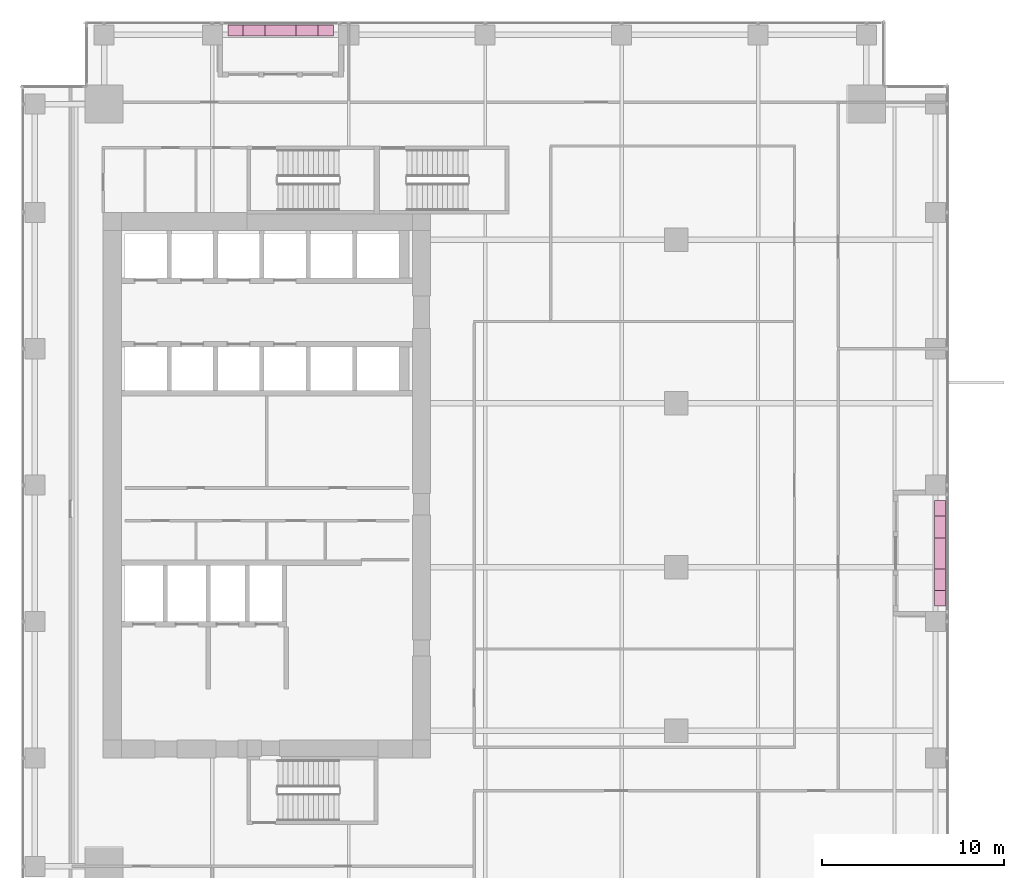
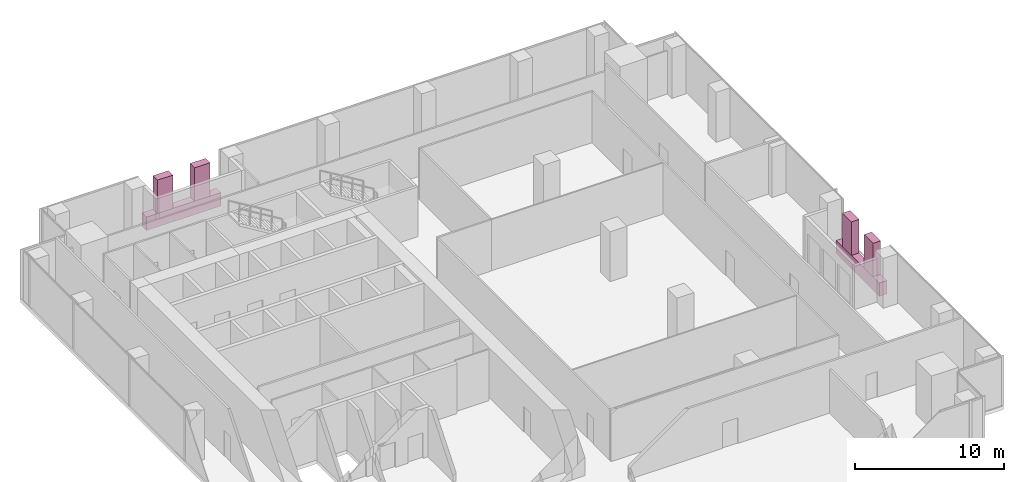
# One storey, part 34 of 34: 6 furnishings.
"""IFC4 building model written with IfcOpenShell, lengths in metres."""

import ifcopenshell
import ifcopenshell.guid

model = None  # the IFC model being written
_history = None  # IfcOwnerHistory: only IFC2X3 demands one
_inside = {}  # id of a spatial element -> (the spatial element, [elements in it])
_under = {}  # id of a project, library or spatial element -> (it, [spatial elements below it])
_declared = {}  # id of a project -> (the project, [libraries it declares])
_typed = {}  # id of a type object -> (the type object, [elements of that type])
_made_of = {}  # id of a material, layer set ... -> (it, [elements and type objects made of it])


def new_model(schema):
    """Start an empty IFC model of exactly this schema.

    Asked for "IFC4X3", IfcOpenShell would pick the latest addendum, in which some entities
    have other attributes; the version numbers below select the first issue.
    IFC2X3 requires an IfcOwnerHistory on every rooted entity: one is made here for all.
    """
    global model, _history
    if schema == "IFC4X3":
        model = ifcopenshell.file(schema_version=(4, 3, 0, 0))
    else:
        model = ifcopenshell.file(schema=schema)
    _inside.clear()
    _under.clear()
    _declared.clear()
    _typed.clear()
    _made_of.clear()
    _history = None
    if model.schema == "IFC2X3":
        org = make("IfcOrganization", Name="unknown")
        user = make(
            "IfcPersonAndOrganization",
            ThePerson=make("IfcPerson", FamilyName="unknown"),
            TheOrganization=org,
        )
        app = make(
            "IfcApplication",
            ApplicationDeveloper=org,
            Version="unknown",
            ApplicationFullName="unknown",
            ApplicationIdentifier="unknown",
        )
        _history = make(
            "IfcOwnerHistory",
            OwningUser=user,
            OwningApplication=app,
            ChangeAction="ADDED",
            CreationDate=0,
        )
    return model


def make(cls, **values):
    """One entity of the class cls with the attributes given. An attribute that is None is left unset."""
    return model.create_entity(
        cls, **{name: value for name, value in values.items() if value is not None}
    )


def rooted(cls, **values):
    """An entity with a GlobalId (a new one), such as an element, a storey or a relation."""
    return make(cls, GlobalId=ifcopenshell.guid.new(), OwnerHistory=_history, **values)


def si_unit(unit_type, name, prefix=None):
    """IfcSIUnit, for example si_unit("LENGTHUNIT", "METRE", prefix="MILLI")."""
    return make("IfcSIUnit", UnitType=unit_type, Prefix=prefix, Name=name)


def assignment(units):
    """IfcUnitAssignment: the units of a project."""
    return None if units is None else make("IfcUnitAssignment", Units=units)


def point(xyz):
    """IfcCartesianPoint."""
    return None if xyz is None else make("IfcCartesianPoint", Coordinates=xyz)


def direction(xyz):
    """IfcDirection."""
    return None if xyz is None else make("IfcDirection", DirectionRatios=xyz)


def frame(location, z_axis=None, x_axis=None):
    """IfcAxis2Placement3D, a coordinate frame: its origin and axes. An axis left out is left unset."""
    return make(
        "IfcAxis2Placement3D",
        Location=point(location),
        Axis=direction(z_axis),
        RefDirection=direction(x_axis),
    )


def frame_2d(location, x_axis=None):
    """IfcAxis2Placement2D, a coordinate frame in the plane: its origin and x axis."""
    return make(
        "IfcAxis2Placement2D", Location=point(location), RefDirection=direction(x_axis)
    )


def origin():
    """The frame at (0, 0, 0) with its axes left unset."""
    return frame((0.0, 0.0, 0.0))


def origin_2d():
    """The frame at (0, 0) in the plane with its x axis left unset."""
    return frame_2d((0.0, 0.0))


def place(relative_to, where):
    """IfcLocalPlacement: puts the frame where relative to a parent placement (None: the world)."""
    return make(
        "IfcLocalPlacement", PlacementRelTo=relative_to, RelativePlacement=where
    )


def context(
    kind, dimensions, precision=None, world=None, true_north=None, identifier=None
):
    """IfcGeometricRepresentationContext, for example the 3D "Model" context."""
    return make(
        "IfcGeometricRepresentationContext",
        ContextIdentifier=identifier,
        ContextType=kind,
        CoordinateSpaceDimension=dimensions,
        Precision=precision,
        WorldCoordinateSystem=world,
        TrueNorth=true_north,
    )


def subcontext(parent, identifier, kind, view, scale=None):
    """IfcGeometricRepresentationSubContext, for example "Body" below "Model"."""
    return make(
        "IfcGeometricRepresentationSubContext",
        ContextIdentifier=identifier,
        ContextType=kind,
        ParentContext=parent,
        TargetScale=scale,
        TargetView=view,
    )


def project(units=None, contexts=None):
    """IfcProject with its units and contexts."""
    return rooted(
        "IfcProject",
        Name="project",
        RepresentationContexts=contexts,
        UnitsInContext=assignment(units),
    )


def spatial(cls, under=None, at=None, **own):
    """A site, building, storey or space (cls), placed at a placement, below another one or the project."""
    s = rooted(cls, ObjectPlacement=at, **own)
    if under is not None:
        _under.setdefault(under.id(), (under, []))[1].append(s)
    return s


def profile(cls, at=None, kind="AREA", **sizes):
    """A parametric profile (cls). Its sizes go by their IFC names, for example OverallWidth=200.0."""
    return make(cls, ProfileType=kind, Position=at, **sizes)


def rectangle(**sizes):
    """IfcRectangleProfileDef."""
    return profile("IfcRectangleProfileDef", **sizes)


def extrude(swept, where, along, depth):
    """IfcExtrudedAreaSolid: the profile swept, set in the frame where, extruded along a direction by depth."""
    return make(
        "IfcExtrudedAreaSolid",
        SweptArea=swept,
        Position=where,
        ExtrudedDirection=direction(along),
        Depth=depth,
    )


def shape(context_of_items, identifier, shape_type, items):
    """IfcShapeRepresentation: the items that make up one representation, for example the "Body"."""
    return make(
        "IfcShapeRepresentation",
        ContextOfItems=context_of_items,
        RepresentationIdentifier=identifier,
        RepresentationType=shape_type,
        Items=items,
    )


def source(mapping_origin, context_of_items, identifier, shape_type, items):
    """IfcRepresentationMap: a shape defined once, which mapped items show again and again."""
    return make(
        "IfcRepresentationMap",
        MappingOrigin=mapping_origin,
        MappedRepresentation=shape(context_of_items, identifier, shape_type, items),
    )


def transform(
    local_origin,
    x_axis=None,
    y_axis=None,
    z_axis=None,
    scale=None,
    scale2=None,
    scale3=None,
    uniform=True,
):
    """IfcCartesianTransformationOperator3D, or its non-uniform kind. x_axis, y_axis, z_axis: its Axis1, 2, 3."""
    if uniform:
        return make(
            "IfcCartesianTransformationOperator3D",
            Axis1=direction(x_axis),
            Axis2=direction(y_axis),
            LocalOrigin=point(local_origin),
            Scale=scale,
            Axis3=direction(z_axis),
        )
    return make(
        "IfcCartesianTransformationOperator3DnonUniform",
        Axis1=direction(x_axis),
        Axis2=direction(y_axis),
        LocalOrigin=point(local_origin),
        Scale=scale,
        Axis3=direction(z_axis),
        Scale2=scale2,
        Scale3=scale3,
    )


def mapped(mapping_source, mapping_target):
    """IfcMappedItem: shows the shape of a source again, moved by a transform."""
    return make(
        "IfcMappedItem", MappingSource=mapping_source, MappingTarget=mapping_target
    )


def material(Name=None, Category=None):
    """IfcMaterial."""
    return make("IfcMaterial", Name=Name, Category=Category)


def made_of(thing, what):
    """Note that an element or type object is made of a material, layer set ...; save() writes the relation."""
    if what is not None:
        _made_of.setdefault(what.id(), (what, []))[1].append(thing)
    return thing


def type_object(cls, material=None, **own):
    """A type object (cls), such as IfcWallType, which elements share."""
    return made_of(rooted(cls, **own), material)


def element(
    cls,
    number,
    at=None,
    inside=None,
    cuts=None,
    type_object=None,
    material=None,
    context=None,
    identifier="Body",
    shape_type=None,
    held_by="IfcProductDefinitionShape",
    body=None,
    shapes=None,
    **own,
):
    """One element of the class cls, such as IfcWall. Its Tag is "e" and its number.

    at: its placement. inside: the storey or other place that contains it. cuts: it is an
    opening in that element (IfcRelVoidsElement). A single representation is given by context,
    identifier, shape_type and body (its items); several are given by shapes. held_by: the class
    of the entity that holds the representations. save() writes the other relations.
    """
    e = rooted(cls, Tag="e%d" % number, ObjectPlacement=at, **own)
    if body is not None:
        shapes = [shape(context, identifier, shape_type, body)]
    if shapes is not None:
        e.Representation = make(held_by, Representations=shapes)
    if inside is not None:
        _inside.setdefault(inside.id(), (inside, []))[1].append(e)
    if cuts is not None:
        rooted(
            "IfcRelVoidsElement", RelatingBuildingElement=cuts, RelatedOpeningElement=e
        )
    if type_object is not None:
        _typed.setdefault(type_object.id(), (type_object, []))[1].append(e)
    return made_of(e, material)


def aggregate(whole, parts):
    """IfcRelAggregates: a whole, such as a stair, and the parts it consists of."""
    return rooted("IfcRelAggregates", RelatingObject=whole, RelatedObjects=parts)


def save(model, path):
    """Write the relations noted so far, then the file.

    IfcRelAggregates (storeys below a building ...), IfcRelContainedInSpatialStructure (elements
    in a storey), IfcRelDefinesByType, IfcRelAssociatesMaterial and IfcRelDeclares: one each for
    every whole, place, type object, material and project.
    """
    for whole, parts in _under.values():
        aggregate(whole, parts)
    for where, things in _inside.values():
        rooted(
            "IfcRelContainedInSpatialStructure",
            RelatedElements=things,
            RelatingStructure=where,
        )
    for kind, things in _typed.values():
        rooted("IfcRelDefinesByType", RelatedObjects=things, RelatingType=kind)
    for what, things in _made_of.values():
        rooted("IfcRelAssociatesMaterial", RelatedObjects=things, RelatingMaterial=what)
    for by, libraries in _declared.values():
        rooted("IfcRelDeclares", RelatingContext=by, RelatedDefinitions=libraries)
    model.write(path)


model = new_model("IFC4")

# Units and contexts
model_context = context("Model", 3, precision=1e-05, world=origin(), true_north=direction((0.0, 1.0)))
body_context = subcontext(model_context, "Body", "Model", "MODEL_VIEW")
ifc_project = project(units=[si_unit("LENGTHUNIT", "METRE"), si_unit("AREAUNIT", "SQUARE_METRE"), si_unit("VOLUMEUNIT", "CUBIC_METRE"), si_unit("PLANEANGLEUNIT", "RADIAN"), si_unit("MASSUNIT", "GRAM", prefix="KILO")], contexts=[model_context])

# Site, building, storey
site_placement = place(None, origin())
site = spatial("IfcSite", under=ifc_project, at=site_placement, CompositionType="ELEMENT")
building_placement = place(site_placement, origin())
building = spatial("IfcBuilding", under=site, at=building_placement, Name="Khomas Fold Tower", CompositionType="ELEMENT")
storey_placement = place(building_placement, frame((0.0, 0.0, 145.5)))
storey = spatial("IfcBuildingStorey", under=building, at=storey_placement, Name="L31", CompositionType="ELEMENT", Elevation=145.5)

# Furnishings
ifc_material_1 = material(Name="Planting")
furnishing_element_type_1 = type_object("IfcFurnishingElementType", Name="BL-Tree Wild olive", material=ifc_material_1)
shared_shape_1 = source(origin(), body_context, "Body", "SweptSolid", [
    extrude(rectangle(XDim=1.199951171875, YDim=0.60009765625, at=origin_2d()), origin(), (0.0, 0.0, 1.0), 2.7451171875),
])
furnishing_1_placement = place(storey_placement, frame((52.0, 21.800048828125, 1.054931640625), z_axis=(0.0, 0.0, 1.0), x_axis=(0.0, 1.0, 0.0)))
element("IfcFurnishingElement", 1, at=furnishing_1_placement, inside=storey, type_object=furnishing_element_type_1, Name="PLANTER (TREE) Wild olive BAL-L31-E2-1", context=body_context, shape_type="MappedRepresentation", body=[
    mapped(shared_shape_1, transform((0.0, 0.0, 0.0))),
])
ifc_material_2 = material(Name="Planting")
furnishing_element_type_2 = type_object("IfcFurnishingElementType", Name="BL-Tree Shepherd's tree", material=ifc_material_2)
for number, where, z_axis, x_axis, name in (
    (2, (52.0, 24.699951171875, 1.054931640625), (0.0, 0.0, 1.0), (0.0, 1.0, 0.0), "PLANTER (TREE) Shepherd's tree BAL-L31-E2-2"),
    (3, (14.300048828125, 52.0, 1.054931640625), (0.0, 0.0, 1.0), (1.0, 0.0, 0.0), "PLANTER (TREE) Shepherd's tree BAL-L31-N1-1"),
):
    element("IfcFurnishingElement", number, at=place(storey_placement, frame(where, z_axis=z_axis, x_axis=x_axis)), inside=storey, type_object=furnishing_element_type_2, Name=name, context=body_context, shape_type="MappedRepresentation", body=[
        mapped(shared_shape_1, transform((0.0, 0.0, 0.0))),
    ])
ifc_material_3 = material(Name="Planting")
furnishing_element_type_3 = type_object("IfcFurnishingElementType", Name="BL-Tree Karee", material=ifc_material_3)
furnishing_2_placement = place(storey_placement, frame((17.199951171875, 52.0, 1.054931640625), z_axis=(0.0, 0.0, 1.0), x_axis=(1.0, 0.0, 0.0)))
element("IfcFurnishingElement", 4, at=furnishing_2_placement, inside=storey, type_object=furnishing_element_type_3, Name="PLANTER (TREE) Karee BAL-L31-N1-2", context=body_context, shape_type="MappedRepresentation", body=[
    mapped(shared_shape_1, transform((0.0, 0.0, 0.0))),
])
ifc_material_4 = material(Name="Precast concrete C40/50", Category="concrete")
furnishing_element_type_4 = type_object("IfcFurnishingElementType", Name="BL-Structural planter box", material=ifc_material_4)
shared_shape_2 = source(origin(), body_context, "Body", "SweptSolid", [
    extrude(rectangle(XDim=5.800048828125, YDim=0.60009765625, at=origin_2d()), origin(), (0.0, 0.0, 1.0), 1.10009765625),
])
for number, where, z_axis, x_axis, name in (
    (5, (52.0, 23.25, -0.045166015625), (0.0, 0.0, 1.0), (0.0, 1.0, 0.0), "PLANTER BAL-L31-E2"),
    (6, (15.75, 52.0, -0.045166015625), (0.0, 0.0, 1.0), (1.0, 0.0, 0.0), "PLANTER BAL-L31-N1"),
):
    element("IfcFurnishingElement", number, at=place(storey_placement, frame(where, z_axis=z_axis, x_axis=x_axis)), inside=storey, type_object=furnishing_element_type_4, Name=name, context=body_context, shape_type="MappedRepresentation", body=[
        mapped(shared_shape_2, transform((0.0, 0.0, 0.0))),
    ])

save(model, "model.ifc")
